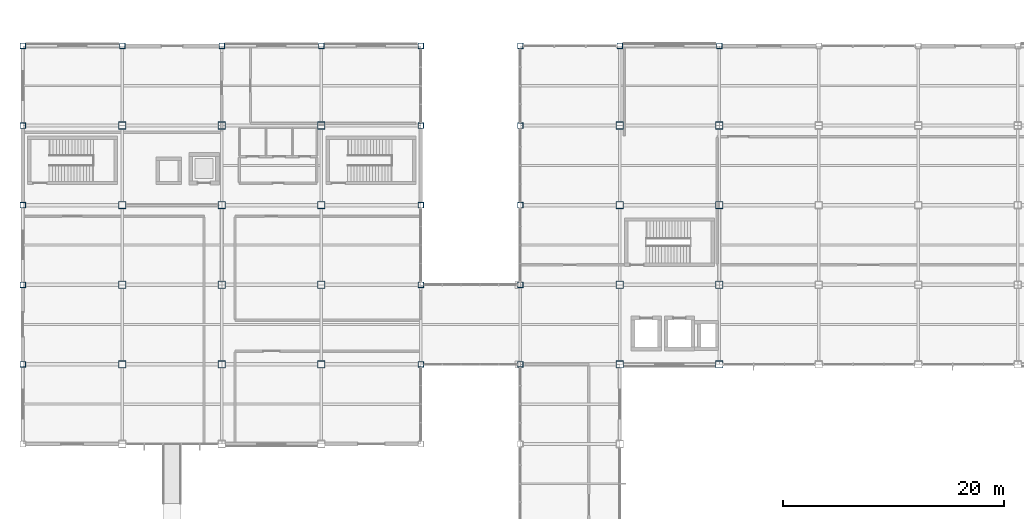
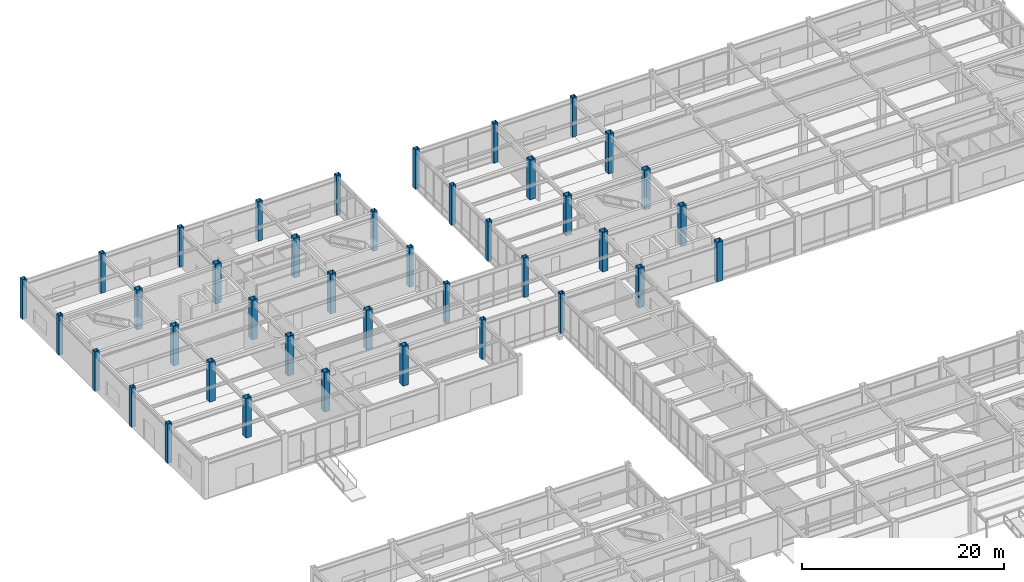
# One storey, part 8 of 112: 40 columns.
"""IFC4 building model written with IfcOpenShell, lengths in metres."""

from ifc_helpers import new_model, si_unit, direction, frame, origin, origin_2d, place, context, subcontext, project, spatial, hollow_rectangle, extrude, material, material_profile, profile_set, type_object, element, save


model = new_model("IFC4")

# Units and contexts
model_context = context("Model", 3, precision=1e-05, world=origin(), true_north=direction((0.0, 1.0)))
body_context = subcontext(model_context, "Body", "Model", "MODEL_VIEW")
ifc_project = project(units=[si_unit("LENGTHUNIT", "METRE"), si_unit("AREAUNIT", "SQUARE_METRE"), si_unit("VOLUMEUNIT", "CUBIC_METRE"), si_unit("PLANEANGLEUNIT", "RADIAN"), si_unit("MASSUNIT", "GRAM", prefix="KILO")], contexts=[model_context])

# Site, building, storey
site_placement = place(None, origin())
site = spatial("IfcSite", under=ifc_project, at=site_placement, CompositionType="ELEMENT")
building_placement = place(site_placement, origin())
building = spatial("IfcBuilding", under=site, at=building_placement, Name="Kazanami Central Library", CompositionType="ELEMENT")
storey_placement = place(building_placement, origin())
storey = spatial("IfcBuildingStorey", under=building, at=storey_placement, Name="L01", CompositionType="ELEMENT", Elevation=0.0)

# Columns
ifc_material = material(Name="Steel BCP325 (325 MPa)", Category="steel")
ifc_material_profile_1 = material_profile(ifc_material, hollow_rectangle(XDim=0.5, YDim=0.5, WallThickness=0.02197265625, at=origin_2d()), Name="BCP-500x500x22")
ifc_profile_set_1 = profile_set([ifc_material_profile_1], Name="Steel BCP325 (325 MPa)")
column_type_1 = type_object("IfcColumnType", Name="COL-C-P1E", PredefinedType="COLUMN", material=ifc_profile_set_1)
for number, where, z_axis, x_axis, name in (
    (1, (0.0, 64.800048828125, 0.0), (0.0, 0.0, 1.0), (1.0, 0.0, 0.0), "Column C-P1E L01 1/K"),
    (2, (0.0, 72.0, 0.0), (0.0, 0.0, 1.0), (1.0, 0.0, 0.0), "Column C-P1E L01 1/L"),
    (3, (0.0, 79.199951171875, 0.0), (0.0, 0.0, 1.0), (1.0, 0.0, 0.0), "Column C-P1E L01 1/M"),
    (4, (0.0, 86.39990234375, 0.0), (0.0, 0.0, 1.0), (1.0, 0.0, 0.0), "Column C-P1E L01 1/N"),
    (5, (0.0, 93.60009765625, 0.0), (0.0, 0.0, 1.0), (1.0, 0.0, 0.0), "Column C-P1E L01 1/O"),
    (6, (9.0, 93.60009765625, 0.0), (0.0, 0.0, 1.0), (1.0, 0.0, 0.0), "Column C-P1E L01 2/O"),
    (7, (18.0, 93.60009765625, 0.0), (0.0, 0.0, 1.0), (1.0, 0.0, 0.0), "Column C-P1E L01 3/O"),
    (8, (27.0, 93.60009765625, 0.0), (0.0, 0.0, 1.0), (1.0, 0.0, 0.0), "Column C-P1E L01 4/O"),
    (9, (36.0, 64.800048828125, 0.0), (0.0, 0.0, 1.0), (1.0, 0.0, 0.0), "Column C-P1E L01 5/K"),
    (10, (36.0, 72.0, 0.0), (0.0, 0.0, 1.0), (1.0, 0.0, 0.0), "Column C-P1E L01 5/L"),
    (11, (36.0, 79.199951171875, 0.0), (0.0, 0.0, 1.0), (1.0, 0.0, 0.0), "Column C-P1E L01 5/M"),
    (12, (36.0, 86.39990234375, 0.0), (0.0, 0.0, 1.0), (1.0, 0.0, 0.0), "Column C-P1E L01 5/N"),
    (13, (36.0, 93.60009765625, 0.0), (0.0, 0.0, 1.0), (1.0, 0.0, 0.0), "Column C-P1E L01 5/O"),
    (14, (45.0, 64.800048828125, 0.0), (0.0, 0.0, 1.0), (1.0, 0.0, 0.0), "Column C-P1E L01 6/K"),
    (15, (45.0, 72.0, 0.0), (0.0, 0.0, 1.0), (1.0, 0.0, 0.0), "Column C-P1E L01 6/L"),
    (16, (45.0, 79.199951171875, 0.0), (0.0, 0.0, 1.0), (1.0, 0.0, 0.0), "Column C-P1E L01 6/M"),
    (17, (45.0, 86.39990234375, 0.0), (0.0, 0.0, 1.0), (1.0, 0.0, 0.0), "Column C-P1E L01 6/N"),
    (18, (45.0, 93.60009765625, 0.0), (0.0, 0.0, 1.0), (1.0, 0.0, 0.0), "Column C-P1E L01 6/O"),
    (19, (54.0, 93.60009765625, 0.0), (0.0, 0.0, 1.0), (1.0, 0.0, 0.0), "Column C-P1E L01 7/O"),
    (20, (63.0, 93.60009765625, 0.0), (0.0, 0.0, 1.0), (1.0, 0.0, 0.0), "Column C-P1E L01 8/O"),
):
    element("IfcColumn", number, at=place(storey_placement, frame(where, z_axis=z_axis, x_axis=x_axis)), inside=storey, type_object=column_type_1, Name=name, PredefinedType="COLUMN", context=body_context, shape_type="SweptSolid", body=[
        extrude(hollow_rectangle(XDim=0.5, YDim=0.5, WallThickness=0.02197265625, at=origin_2d()), origin(), (0.0, 0.0, 1.0), 4.800048828125),
    ])
ifc_material_profile_2 = material_profile(ifc_material, hollow_rectangle(XDim=0.64990234375, YDim=0.64990234375, WallThickness=0.02490234375, at=origin_2d()), Name="BCP-650x650x25")
ifc_profile_set_2 = profile_set([ifc_material_profile_2], Name="Steel BCP325 (325 MPa)")
column_type_2 = type_object("IfcColumnType", Name="COL-C-P1I", PredefinedType="COLUMN", material=ifc_profile_set_2)
for number, where, z_axis, x_axis, name in (
    (21, (9.0, 64.800048828125, 0.0), (0.0, 0.0, 1.0), (1.0, 0.0, 0.0), "Column C-P1I L01 2/K"),
    (22, (9.0, 72.0, 0.0), (0.0, 0.0, 1.0), (1.0, 0.0, 0.0), "Column C-P1I L01 2/L"),
    (23, (9.0, 79.199951171875, 0.0), (0.0, 0.0, 1.0), (1.0, 0.0, 0.0), "Column C-P1I L01 2/M"),
    (24, (9.0, 86.39990234375, 0.0), (0.0, 0.0, 1.0), (1.0, 0.0, 0.0), "Column C-P1I L01 2/N"),
    (25, (18.0, 64.800048828125, 0.0), (0.0, 0.0, 1.0), (1.0, 0.0, 0.0), "Column C-P1I L01 3/K"),
    (26, (18.0, 72.0, 0.0), (0.0, 0.0, 1.0), (1.0, 0.0, 0.0), "Column C-P1I L01 3/L"),
    (27, (18.0, 79.199951171875, 0.0), (0.0, 0.0, 1.0), (1.0, 0.0, 0.0), "Column C-P1I L01 3/M"),
    (28, (18.0, 86.39990234375, 0.0), (0.0, 0.0, 1.0), (1.0, 0.0, 0.0), "Column C-P1I L01 3/N"),
    (29, (27.0, 64.800048828125, 0.0), (0.0, 0.0, 1.0), (1.0, 0.0, 0.0), "Column C-P1I L01 4/K"),
    (30, (27.0, 72.0, 0.0), (0.0, 0.0, 1.0), (1.0, 0.0, 0.0), "Column C-P1I L01 4/L"),
    (31, (27.0, 79.199951171875, 0.0), (0.0, 0.0, 1.0), (1.0, 0.0, 0.0), "Column C-P1I L01 4/M"),
    (32, (27.0, 86.39990234375, 0.0), (0.0, 0.0, 1.0), (1.0, 0.0, 0.0), "Column C-P1I L01 4/N"),
    (33, (54.0, 64.800048828125, 0.0), (0.0, 0.0, 1.0), (1.0, 0.0, 0.0), "Column C-P1I L01 7/K"),
    (34, (54.0, 72.0, 0.0), (0.0, 0.0, 1.0), (1.0, 0.0, 0.0), "Column C-P1I L01 7/L"),
    (35, (54.0, 79.199951171875, 0.0), (0.0, 0.0, 1.0), (1.0, 0.0, 0.0), "Column C-P1I L01 7/M"),
    (36, (54.0, 86.39990234375, 0.0), (0.0, 0.0, 1.0), (1.0, 0.0, 0.0), "Column C-P1I L01 7/N"),
    (37, (63.0, 64.800048828125, 0.0), (0.0, 0.0, 1.0), (1.0, 0.0, 0.0), "Column C-P1I L01 8/K"),
    (38, (63.0, 72.0, 0.0), (0.0, 0.0, 1.0), (1.0, 0.0, 0.0), "Column C-P1I L01 8/L"),
    (39, (63.0, 79.199951171875, 0.0), (0.0, 0.0, 1.0), (1.0, 0.0, 0.0), "Column C-P1I L01 8/M"),
    (40, (63.0, 86.39990234375, 0.0), (0.0, 0.0, 1.0), (1.0, 0.0, 0.0), "Column C-P1I L01 8/N"),
):
    element("IfcColumn", number, at=place(storey_placement, frame(where, z_axis=z_axis, x_axis=x_axis)), inside=storey, type_object=column_type_2, Name=name, PredefinedType="COLUMN", context=body_context, shape_type="SweptSolid", body=[
        extrude(hollow_rectangle(XDim=0.64990234375, YDim=0.64990234375, WallThickness=0.02490234375, at=origin_2d()), origin(), (0.0, 0.0, 1.0), 4.800048828125),
    ])

save(model, "model.ifc")
